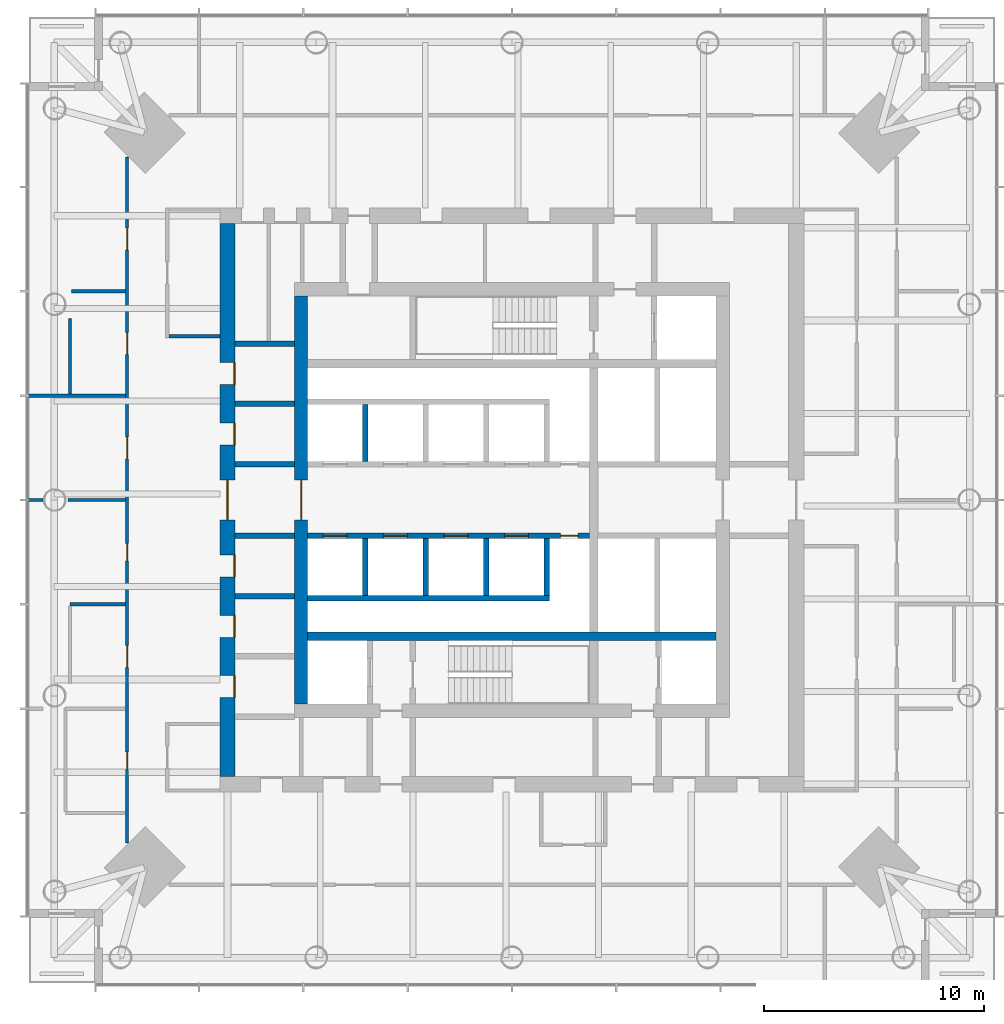
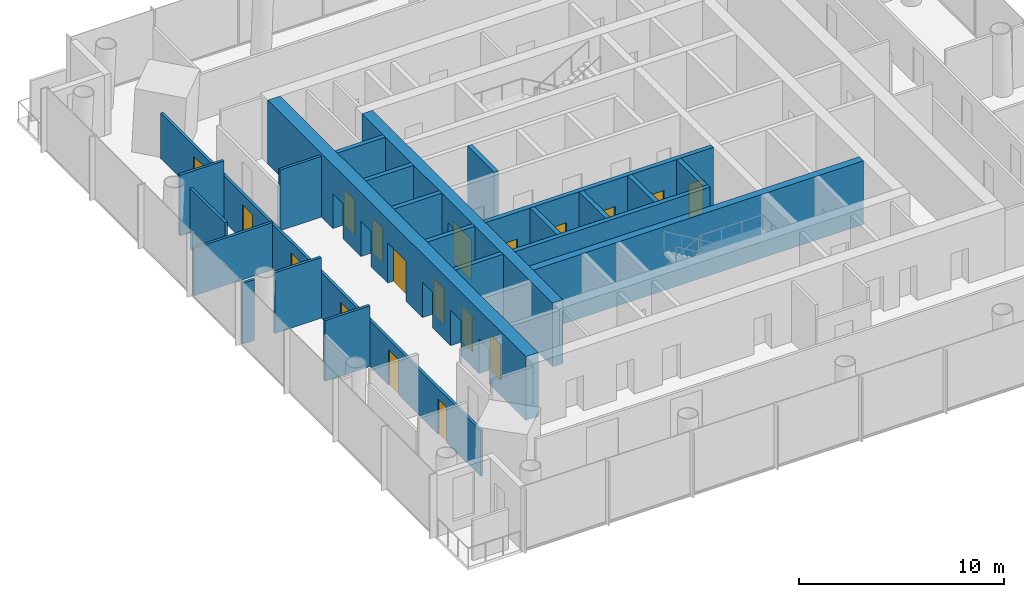
# One storey, part 9 of 19: 23 walls, 18 doors, 18 openings.
"""IFC4 building model written with IfcOpenShell, lengths in metres."""

from ifc_helpers import new_model, si_unit, direction, frame, frame_2d, origin, place, context, subcontext, project, spatial, rectangle, extrude, material, layer, layer_set, type_object, element, fill, save


model = new_model("IFC4")

# Units and contexts
model_context = context("Model", 3, precision=1e-05, world=origin(), true_north=direction((0.0, 1.0)))
body_context = subcontext(model_context, "Body", "Model", "MODEL_VIEW")
ifc_project = project(units=[si_unit("LENGTHUNIT", "METRE"), si_unit("AREAUNIT", "SQUARE_METRE"), si_unit("VOLUMEUNIT", "CUBIC_METRE"), si_unit("PLANEANGLEUNIT", "RADIAN"), si_unit("MASSUNIT", "GRAM", prefix="KILO")], contexts=[model_context])

# Site, building, storey
site_placement = place(None, origin())
site = spatial("IfcSite", under=ifc_project, at=site_placement, CompositionType="ELEMENT")
building_placement = place(site_placement, origin())
building = spatial("IfcBuilding", under=site, at=building_placement, Name="Ostroluk Exchange", CompositionType="ELEMENT")
storey_placement = place(building_placement, frame((0.0, 0.0, 119.800048828125)))
storey = spatial("IfcBuildingStorey", under=building, at=storey_placement, Name="L30", CompositionType="ELEMENT", Elevation=119.800048828125)

# Walls
ifc_material_1 = material(Name="Concrete C50/60", Category="concrete")
ifc_layer_1 = layer(ifc_material_1, 0.39990234375)
ifc_layer_set_1 = layer_set([ifc_layer_1], Name="Core cross wall 400 C50/60")
wall_type_1 = type_object("IfcWallType", Name="Core cross wall 400 C50/60", PredefinedType="SHEAR", material=ifc_layer_set_1)
wall_1_placement = place(storey_placement, frame((35.699951171875, 39.800048828125, 0.0), z_axis=(0.0, 0.0, 1.0), x_axis=(1.0, 0.0, 0.0)))
element("IfcWall", 1, at=wall_1_placement, inside=storey, type_object=wall_type_1, Name="T1 core wall XS", PredefinedType="SHEAR", context=body_context, shape_type="SweptSolid", body=[
    extrude(rectangle(XDim=18.60009765625, YDim=0.39990234375, at=frame_2d((9.300048828125, 0.0))), origin(), (0.0, 0.0, 1.0), 3.800048828125),
])
ifc_material_2 = material(Name="Concrete C40/50", Category="concrete")
ifc_layer_2 = layer(ifc_material_2, 0.25)
ifc_layer_set_2 = layer_set([ifc_layer_2], Name="Core shaft wall 250")
wall_type_2 = type_object("IfcWallType", Name="Core shaft wall 250", PredefinedType="SHEAR", material=ifc_layer_set_2)
for number, where, z_axis, x_axis, name in (
    (2, (38.324951171875, 47.75, 0.0), (0.0, 0.0, 1.0), (0.0, 1.0, 0.0), "Lift shaft wall"),
    (3, (38.324951171875, 44.25, 0.0), (0.0, 0.0, 1.0), (0.0, -1.0, 0.0), "Lift shaft wall"),
    (4, (41.074951171875, 44.25, 0.0), (0.0, 0.0, 1.0), (0.0, -1.0, 0.0), "Lift shaft wall"),
    (5, (43.824951171875, 44.25, 0.0), (0.0, 0.0, 1.0), (0.0, -1.0, 0.0), "Lift shaft wall"),
    (6, (46.574951171875, 44.25, 0.0), (0.0, 0.0, 1.0), (0.0, -1.0, 0.0), "Lift shaft wall"),
):
    element("IfcWall", number, at=place(storey_placement, frame(where, z_axis=z_axis, x_axis=x_axis)), inside=storey, type_object=wall_type_2, Name=name, PredefinedType="SHEAR", context=body_context, shape_type="SweptSolid", body=[
        extrude(rectangle(XDim=2.60009765625, YDim=0.25, at=frame_2d((1.300048828125, 0.0))), origin(), (0.0, 0.0, 1.0), 3.800048828125),
    ])
wall_2_placement = place(storey_placement, frame((35.699951171875, 41.52490234375, 0.0), z_axis=(0.0, 0.0, 1.0), x_axis=(1.0, 0.0, 0.0)))
element("IfcWall", 7, at=wall_2_placement, inside=storey, type_object=wall_type_2, Name="Lift shaft wall", PredefinedType="SHEAR", context=body_context, shape_type="SweptSolid", body=[
    extrude(rectangle(XDim=11.0, YDim=0.25, at=frame_2d((5.5, 0.0))), origin(), (0.0, 0.0, 1.0), 3.800048828125),
])

# Wall, openings, doors
wall_3_placement = place(storey_placement, frame((35.699951171875, 44.375, 0.0), z_axis=(0.0, 0.0, 1.0), x_axis=(1.0, 0.0, 0.0)))
wall_3 = element("IfcWall", 8, at=wall_3_placement, inside=storey, type_object=wall_type_2, Name="Lift shaft front wall", PredefinedType="SHEAR", context=body_context, shape_type="SweptSolid", body=[
    extrude(rectangle(XDim=12.830078125, YDim=0.25, at=frame_2d((6.4150390625, 0.0))), origin(), (0.0, 0.0, 1.0), 3.800048828125),
])
opening_1_placement = place(wall_3_placement, frame((0.699951171875, 0.0, 0.0)))
opening_1 = element("IfcOpeningElement", 9, at=opening_1_placement, cuts=wall_3, Name="Opening LD", PredefinedType="OPENING", context=body_context, shape_type="SweptSolid", body=[
    extrude(rectangle(XDim=1.10009765625, YDim=2.199951171875, at=frame_2d((0.550048828125, 1.10009765625))), frame((0.0, 0.135009765625, 0.0), z_axis=(0.0, -1.0, 0.0), x_axis=(1.0, 0.0, 0.0)), (0.0, 0.0, 1.0), 0.27001953125),
])
opening_2_placement = place(wall_3_placement, frame((3.449951171875, 0.0, 0.0)))
opening_2 = element("IfcOpeningElement", 10, at=opening_2_placement, cuts=wall_3, Name="Opening LD", PredefinedType="OPENING", context=body_context, shape_type="SweptSolid", body=[
    extrude(rectangle(XDim=1.10009765625, YDim=2.199951171875, at=frame_2d((0.550048828125, 1.10009765625))), frame((0.0, 0.135009765625, 0.0), z_axis=(0.0, -1.0, 0.0), x_axis=(1.0, 0.0, 0.0)), (0.0, 0.0, 1.0), 0.27001953125),
])
opening_3_placement = place(wall_3_placement, frame((6.199951171875, 0.0, 0.0)))
opening_3 = element("IfcOpeningElement", 11, at=opening_3_placement, cuts=wall_3, Name="Opening LD", PredefinedType="OPENING", context=body_context, shape_type="SweptSolid", body=[
    extrude(rectangle(XDim=1.10009765625, YDim=2.199951171875, at=frame_2d((0.550048828125, 1.10009765625))), frame((0.0, 0.135009765625, 0.0), z_axis=(0.0, -1.0, 0.0), x_axis=(1.0, 0.0, 0.0)), (0.0, 0.0, 1.0), 0.27001953125),
])
opening_4_placement = place(wall_3_placement, frame((8.949951171875, 0.0, 0.0)))
opening_4 = element("IfcOpeningElement", 12, at=opening_4_placement, cuts=wall_3, Name="Opening LD", PredefinedType="OPENING", context=body_context, shape_type="SweptSolid", body=[
    extrude(rectangle(XDim=1.10009765625, YDim=2.199951171875, at=frame_2d((0.550048828125, 1.10009765625))), frame((0.0, 0.135009765625, 0.0), z_axis=(0.0, -1.0, 0.0), x_axis=(1.0, 0.0, 0.0)), (0.0, 0.0, 1.0), 0.27001953125),
])
opening_5_placement = place(wall_3_placement, frame((11.514892578125, 0.0, 0.0)))
opening_5 = element("IfcOpeningElement", 13, at=opening_5_placement, cuts=wall_3, Name="Opening RD60", PredefinedType="OPENING", context=body_context, shape_type="SweptSolid", body=[
    extrude(rectangle(XDim=0.800048828125, YDim=2.0, at=frame_2d((0.39990234375, 1.0))), frame((0.0, 0.135009765625, 0.0), z_axis=(0.0, -1.0, 0.0), x_axis=(1.0, 0.0, 0.0)), (0.0, 0.0, 1.0), 0.27001953125),
])
ifc_material_3 = material(Name="Stainless steel", Category="steel")
door_type_1 = type_object("IfcDoorType", Name="Lift landing door E 60 1100 x 2200", OperationType="DOUBLE_DOOR_SLIDING", PredefinedType="DOOR", material=ifc_material_3)
door_1_placement = place(opening_1_placement, origin())
door_1 = element("IfcDoor", 14, at=door_1_placement, inside=storey, type_object=door_type_1, Name="Lift PL-M5 landing door", OperationType="DOUBLE_DOOR_SLIDING", OverallHeight=2.199951171875, OverallWidth=1.10009765625, PredefinedType="DOOR", context=body_context, shape_type="SweptSolid", body=[
    extrude(rectangle(XDim=1.10009765625, YDim=2.199951171875, at=frame_2d((0.550048828125, 1.10009765625))), frame((0.0, 0.02490234375, 0.0), z_axis=(0.0, -1.0, 0.0), x_axis=(1.0, 0.0, 0.0)), (0.0, 0.0, 1.0), 0.050048828125),
])
fill(opening_1, door_1)
door_2_placement = place(opening_2_placement, origin())
door_2 = element("IfcDoor", 15, at=door_2_placement, inside=storey, type_object=door_type_1, Name="Lift PL-M6 landing door", OperationType="DOUBLE_DOOR_SLIDING", OverallHeight=2.199951171875, OverallWidth=1.10009765625, PredefinedType="DOOR", context=body_context, shape_type="SweptSolid", body=[
    extrude(rectangle(XDim=1.10009765625, YDim=2.199951171875, at=frame_2d((0.550048828125, 1.10009765625))), frame((0.0, 0.02490234375, 0.0), z_axis=(0.0, -1.0, 0.0), x_axis=(1.0, 0.0, 0.0)), (0.0, 0.0, 1.0), 0.050048828125),
])
fill(opening_2, door_2)
door_3_placement = place(opening_3_placement, origin())
door_3 = element("IfcDoor", 16, at=door_3_placement, inside=storey, type_object=door_type_1, Name="Lift PL-M7 landing door", OperationType="DOUBLE_DOOR_SLIDING", OverallHeight=2.199951171875, OverallWidth=1.10009765625, PredefinedType="DOOR", context=body_context, shape_type="SweptSolid", body=[
    extrude(rectangle(XDim=1.10009765625, YDim=2.199951171875, at=frame_2d((0.550048828125, 1.10009765625))), frame((0.0, 0.02490234375, 0.0), z_axis=(0.0, -1.0, 0.0), x_axis=(1.0, 0.0, 0.0)), (0.0, 0.0, 1.0), 0.050048828125),
])
fill(opening_3, door_3)
door_4_placement = place(opening_4_placement, origin())
door_4 = element("IfcDoor", 17, at=door_4_placement, inside=storey, type_object=door_type_1, Name="Lift PL-M8 landing door", OperationType="DOUBLE_DOOR_SLIDING", OverallHeight=2.199951171875, OverallWidth=1.10009765625, PredefinedType="DOOR", context=body_context, shape_type="SweptSolid", body=[
    extrude(rectangle(XDim=1.10009765625, YDim=2.199951171875, at=frame_2d((0.550048828125, 1.10009765625))), frame((0.0, 0.02490234375, 0.0), z_axis=(0.0, -1.0, 0.0), x_axis=(1.0, 0.0, 0.0)), (0.0, 0.0, 1.0), 0.050048828125),
])
fill(opening_4, door_4)
ifc_material_4 = material(Name="Steel", Category="steel")
door_type_2 = type_object("IfcDoorType", Name="Riser access door EI 60 800 x 2000", OperationType="SINGLE_SWING_LEFT", PredefinedType="DOOR", material=ifc_material_4)
door_5_placement = place(opening_5_placement, origin())
door_5 = element("IfcDoor", 18, at=door_5_placement, inside=storey, type_object=door_type_2, Name="Riser access door", OperationType="SINGLE_SWING_RIGHT", OverallHeight=2.0, OverallWidth=0.800048828125, PredefinedType="DOOR", context=body_context, shape_type="SweptSolid", body=[
    extrude(rectangle(XDim=0.800048828125, YDim=2.0, at=frame_2d((0.39990234375, 1.0))), frame((0.0, 0.02490234375, 0.0), z_axis=(0.0, -1.0, 0.0), x_axis=(1.0, 0.0, 0.0)), (0.0, 0.0, 1.0), 0.050048828125),
])
fill(opening_5, door_5)

# Walls
for number, where, z_axis, x_axis, name in (
    (19, (32.39990234375, 41.625, 0.0), (0.0, 0.0, 1.0), (1.0, 0.0, 0.0), "Lift shaft wall"),
    (20, (32.39990234375, 44.375, 0.0), (0.0, 0.0, 1.0), (1.0, 0.0, 0.0), "Lift shaft wall"),
    (21, (32.39990234375, 47.625, 0.0), (0.0, 0.0, 1.0), (1.0, 0.0, 0.0), "Lift shaft wall"),
    (22, (32.39990234375, 50.375, 0.0), (0.0, 0.0, 1.0), (1.0, 0.0, 0.0), "Lift shaft wall"),
    (23, (32.39990234375, 53.125, 0.0), (0.0, 0.0, 1.0), (1.0, 0.0, 0.0), "Lift shaft wall"),
):
    element("IfcWall", number, at=place(storey_placement, frame(where, z_axis=z_axis, x_axis=x_axis)), inside=storey, type_object=wall_type_2, Name=name, PredefinedType="SHEAR", context=body_context, shape_type="SweptSolid", body=[
        extrude(rectangle(XDim=2.7001953125, YDim=0.25, at=frame_2d((1.35009765625, 0.0))), origin(), (0.0, 0.0, 1.0), 3.800048828125),
    ])

# Wall, opening, door
ifc_material_5 = material(Name="Concrete C50/60", Category="concrete")
ifc_layer_3 = layer(ifc_material_5, 0.60009765625)
ifc_layer_set_3 = layer_set([ifc_layer_3], Name="Core wall 600 C50/60")
wall_type_3 = type_object("IfcWallType", Name="Core wall 600 C50/60", PredefinedType="SHEAR", material=ifc_layer_set_3)
wall_4_placement = place(storey_placement, frame((35.39990234375, 36.699951171875, 0.0), z_axis=(0.0, 0.0, 1.0), x_axis=(0.0, 1.0, 0.0)))
wall_4 = element("IfcWall", 24, at=wall_4_placement, inside=storey, type_object=wall_type_3, Name="T1 core wall W", PredefinedType="SHEAR", context=body_context, shape_type="SweptSolid", body=[
    extrude(rectangle(XDim=18.60009765625, YDim=0.60009765625, at=frame_2d((9.300048828125, 0.0))), origin(), (0.0, 0.0, 1.0), 3.800048828125),
])
opening_6_placement = place(wall_4_placement, frame((8.39990234375, 0.0, 0.0)))
opening_6 = element("IfcOpeningElement", 25, at=opening_6_placement, cuts=wall_4, Name="Opening FD30D", PredefinedType="OPENING", context=body_context, shape_type="SweptSolid", body=[
    extrude(rectangle(XDim=1.800048828125, YDim=2.39990234375, at=frame_2d((0.89990234375, 1.199951171875))), frame((0.0, 0.31005859375, 0.0), z_axis=(0.0, -1.0, 0.0), x_axis=(1.0, 0.0, 0.0)), (0.0, 0.0, 1.0), 0.6201171875),
])
ifc_material_6 = material(Name="Timber", Category="wood")
door_type_3 = type_object("IfcDoorType", Name="Lobby double door EI 30 1800 x 2400", OperationType="DOUBLE_DOOR_SINGLE_SWING", PredefinedType="DOOR", material=ifc_material_6)
door_6_placement = place(opening_6_placement, origin())
door_6 = element("IfcDoor", 26, at=door_6_placement, inside=storey, type_object=door_type_3, Name="Lift lobby doors", OperationType="DOUBLE_DOOR_SINGLE_SWING", OverallHeight=2.39990234375, OverallWidth=1.800048828125, PredefinedType="DOOR", context=body_context, shape_type="SweptSolid", body=[
    extrude(rectangle(XDim=1.800048828125, YDim=2.39990234375, at=frame_2d((0.89990234375, 1.199951171875))), frame((0.0, 0.02490234375, 0.0), z_axis=(0.0, -1.0, 0.0), x_axis=(1.0, 0.0, 0.0)), (0.0, 0.0, 1.0), 0.050048828125),
])
fill(opening_6, door_6)

# Wall, openings, doors
ifc_material_7 = material(Name="Concrete C50/60", Category="concrete")
ifc_layer_4 = layer(ifc_material_7, 0.699951171875)
ifc_layer_set_4 = layer_set([ifc_layer_4], Name="Core wall 700 C50/60")
wall_type_4 = type_object("IfcWallType", Name="Core wall 700 C50/60", PredefinedType="SHEAR", material=ifc_layer_set_4)
wall_5_placement = place(storey_placement, frame((32.050048828125, 33.39990234375, 0.0), z_axis=(0.0, 0.0, 1.0), x_axis=(0.0, 1.0, 0.0)))
wall_5 = element("IfcWall", 27, at=wall_5_placement, inside=storey, type_object=wall_type_4, Name="T1 core wall RW", PredefinedType="SHEAR", context=body_context, shape_type="SweptSolid", body=[
    extrude(rectangle(XDim=25.2001953125, YDim=0.699951171875, at=frame_2d((12.60009765625, 0.0))), origin(), (0.0, 0.0, 1.0), 3.800048828125),
])
opening_7_placement = place(wall_5_placement, frame((11.699951171875, 0.0, 0.0)))
opening_7 = element("IfcOpeningElement", 28, at=opening_7_placement, cuts=wall_5, Name="Opening FD30D", PredefinedType="OPENING", context=body_context, shape_type="SweptSolid", body=[
    extrude(rectangle(XDim=1.800048828125, YDim=2.39990234375, at=frame_2d((0.89990234375, 1.199951171875))), frame((0.0, 0.35986328125, 0.0), z_axis=(0.0, -1.0, 0.0), x_axis=(1.0, 0.0, 0.0)), (0.0, 0.0, 1.0), 0.719970703125),
])
opening_8_placement = place(wall_5_placement, frame((3.60009765625, 0.0, 0.0)))
opening_8 = element("IfcOpeningElement", 29, at=opening_8_placement, cuts=wall_5, Name="Opening FD60", PredefinedType="OPENING", context=body_context, shape_type="SweptSolid", body=[
    extrude(rectangle(XDim=1.0, YDim=2.10009765625, at=frame_2d((0.5, 1.050048828125))), frame((0.0, 0.35986328125, 0.0), z_axis=(0.0, -1.0, 0.0), x_axis=(1.0, 0.0, 0.0)), (0.0, 0.0, 1.0), 0.719970703125),
])
opening_9_placement = place(wall_5_placement, frame((6.35009765625, 0.0, 0.0)))
opening_9 = element("IfcOpeningElement", 30, at=opening_9_placement, cuts=wall_5, Name="Opening FD60", PredefinedType="OPENING", context=body_context, shape_type="SweptSolid", body=[
    extrude(rectangle(XDim=1.0, YDim=2.10009765625, at=frame_2d((0.5, 1.050048828125))), frame((0.0, 0.35986328125, 0.0), z_axis=(0.0, -1.0, 0.0), x_axis=(1.0, 0.0, 0.0)), (0.0, 0.0, 1.0), 0.719970703125),
])
opening_10_placement = place(wall_5_placement, frame((9.10009765625, 0.0, 0.0)))
opening_10 = element("IfcOpeningElement", 31, at=opening_10_placement, cuts=wall_5, Name="Opening FD60", PredefinedType="OPENING", context=body_context, shape_type="SweptSolid", body=[
    extrude(rectangle(XDim=1.0, YDim=2.10009765625, at=frame_2d((0.5, 1.050048828125))), frame((0.0, 0.35986328125, 0.0), z_axis=(0.0, -1.0, 0.0), x_axis=(1.0, 0.0, 0.0)), (0.0, 0.0, 1.0), 0.719970703125),
])
opening_11_placement = place(wall_5_placement, frame((15.10009765625, 0.0, 0.0)))
opening_11 = element("IfcOpeningElement", 32, at=opening_11_placement, cuts=wall_5, Name="Opening FD60", PredefinedType="OPENING", context=body_context, shape_type="SweptSolid", body=[
    extrude(rectangle(XDim=1.0, YDim=2.10009765625, at=frame_2d((0.5, 1.050048828125))), frame((0.0, 0.35986328125, 0.0), z_axis=(0.0, -1.0, 0.0), x_axis=(1.0, 0.0, 0.0)), (0.0, 0.0, 1.0), 0.719970703125),
])
opening_12_placement = place(wall_5_placement, frame((17.85009765625, 0.0, 0.0)))
opening_12 = element("IfcOpeningElement", 33, at=opening_12_placement, cuts=wall_5, Name="Opening FD60", PredefinedType="OPENING", context=body_context, shape_type="SweptSolid", body=[
    extrude(rectangle(XDim=1.0, YDim=2.10009765625, at=frame_2d((0.5, 1.050048828125))), frame((0.0, 0.35986328125, 0.0), z_axis=(0.0, -1.0, 0.0), x_axis=(1.0, 0.0, 0.0)), (0.0, 0.0, 1.0), 0.719970703125),
])
ifc_material_8 = material(Name="Steel", Category="steel")
door_type_4 = type_object("IfcDoorType", Name="Fire door EI 60 1000 x 2100", OperationType="SINGLE_SWING_LEFT", PredefinedType="DOOR", material=ifc_material_8)
door_7_placement = place(opening_8_placement, origin())
door_7 = element("IfcDoor", 34, at=door_7_placement, inside=storey, type_object=door_type_4, Name="Cleaner's store door", OperationType="SINGLE_SWING_LEFT", OverallHeight=2.10009765625, OverallWidth=1.0, PredefinedType="DOOR", context=body_context, shape_type="SweptSolid", body=[
    extrude(rectangle(XDim=1.0, YDim=2.10009765625, at=frame_2d((0.5, 1.050048828125))), frame((0.0, -0.2900390625, 0.0), z_axis=(0.0, -1.0, 0.0), x_axis=(1.0, 0.0, 0.0)), (0.0, 0.0, 1.0), 0.050048828125),
])
fill(opening_8, door_7)
door_8_placement = place(opening_9_placement, origin())
door_8 = element("IfcDoor", 35, at=door_8_placement, inside=storey, type_object=door_type_4, Name="Comms room door", OperationType="SINGLE_SWING_LEFT", OverallHeight=2.10009765625, OverallWidth=1.0, PredefinedType="DOOR", context=body_context, shape_type="SweptSolid", body=[
    extrude(rectangle(XDim=1.0, YDim=2.10009765625, at=frame_2d((0.5, 1.050048828125))), frame((0.0, -0.2900390625, 0.0), z_axis=(0.0, -1.0, 0.0), x_axis=(1.0, 0.0, 0.0)), (0.0, 0.0, 1.0), 0.050048828125),
])
fill(opening_9, door_8)
door_9_placement = place(opening_10_placement, origin())
door_9 = element("IfcDoor", 36, at=door_9_placement, inside=storey, type_object=door_type_4, Name="Cleaner's store door", OperationType="SINGLE_SWING_LEFT", OverallHeight=2.10009765625, OverallWidth=1.0, PredefinedType="DOOR", context=body_context, shape_type="SweptSolid", body=[
    extrude(rectangle(XDim=1.0, YDim=2.10009765625, at=frame_2d((0.5, 1.050048828125))), frame((0.0, -0.2900390625, 0.0), z_axis=(0.0, -1.0, 0.0), x_axis=(1.0, 0.0, 0.0)), (0.0, 0.0, 1.0), 0.050048828125),
])
fill(opening_10, door_9)
door_10_placement = place(opening_11_placement, origin())
door_10 = element("IfcDoor", 37, at=door_10_placement, inside=storey, type_object=door_type_4, Name="Comms room door", OperationType="SINGLE_SWING_RIGHT", OverallHeight=2.10009765625, OverallWidth=1.0, PredefinedType="DOOR", context=body_context, shape_type="SweptSolid", body=[
    extrude(rectangle(XDim=1.0, YDim=2.10009765625, at=frame_2d((0.5, 1.050048828125))), frame((0.0, -0.2900390625, 0.0), z_axis=(0.0, -1.0, 0.0), x_axis=(1.0, 0.0, 0.0)), (0.0, 0.0, 1.0), 0.050048828125),
])
fill(opening_11, door_10)
door_11_placement = place(opening_12_placement, origin())
door_11 = element("IfcDoor", 38, at=door_11_placement, inside=storey, type_object=door_type_4, Name="Cleaner's store door", OperationType="SINGLE_SWING_RIGHT", OverallHeight=2.10009765625, OverallWidth=1.0, PredefinedType="DOOR", context=body_context, shape_type="SweptSolid", body=[
    extrude(rectangle(XDim=1.0, YDim=2.10009765625, at=frame_2d((0.5, 1.050048828125))), frame((0.0, -0.2900390625, 0.0), z_axis=(0.0, -1.0, 0.0), x_axis=(1.0, 0.0, 0.0)), (0.0, 0.0, 1.0), 0.050048828125),
])
fill(opening_12, door_11)
door_12_placement = place(opening_7_placement, origin())
door_12 = element("IfcDoor", 39, at=door_12_placement, inside=storey, type_object=door_type_3, Name="Lift lobby doors", OperationType="DOUBLE_DOOR_SINGLE_SWING", OverallHeight=2.39990234375, OverallWidth=1.800048828125, PredefinedType="DOOR", context=body_context, shape_type="SweptSolid", body=[
    extrude(rectangle(XDim=1.800048828125, YDim=2.39990234375, at=frame_2d((0.89990234375, 1.199951171875))), frame((0.0, 0.02490234375, 0.0), z_axis=(0.0, -1.0, 0.0), x_axis=(1.0, 0.0, 0.0)), (0.0, 0.0, 1.0), 0.050048828125),
])
fill(opening_7, door_12)

# Walls
ifc_material_9 = material(Name="Gypsum plasterboard partition", Category="gypsum")
ifc_layer_5 = layer(ifc_material_9, 0.14990234375)
ifc_layer_set_5 = layer_set([ifc_layer_5], Name="Plasterboard partition 150")
wall_type_5 = type_object("IfcWallType", Name="Plasterboard partition 150", PredefinedType="PARTITIONING", material=ifc_layer_set_5)
wall_6_placement = place(storey_placement, frame((31.699951171875, 53.449951171875, 0.0), z_axis=(0.0, 0.0, 1.0), x_axis=(-1.0, 0.0, 0.0)))
element("IfcWall", 40, at=wall_6_placement, inside=storey, type_object=wall_type_5, Name="Partition", PredefinedType="PARTITIONING", context=body_context, shape_type="SweptSolid", body=[
    extrude(rectangle(XDim=2.324951171875, YDim=0.14990234375, at=frame_2d((1.16259765625, 0.0))), origin(), (0.0, 0.0, 1.0), 3.619873046875),
])
wall_7_placement = place(storey_placement, frame((24.875, 54.259765625, 0.0), z_axis=(0.0, 0.0, 1.0), x_axis=(0.0, -1.0, 0.0)))
element("IfcWall", 41, at=wall_7_placement, inside=storey, type_object=wall_type_5, Name="Partition", PredefinedType="PARTITIONING", context=body_context, shape_type="SweptSolid", body=[
    extrude(rectangle(XDim=3.434814453125, YDim=0.14990234375, at=frame_2d((1.71728515625, 0.0))), origin(), (0.0, 0.0, 1.0), 3.619873046875),
])

# Wall, openings, doors
wall_8_placement = place(storey_placement, frame((27.47509765625, 61.611572265625, 0.0), z_axis=(0.0, 0.0, 1.0), x_axis=(0.0, -1.0, 0.0)))
wall_8 = element("IfcWall", 42, at=wall_8_placement, inside=storey, type_object=wall_type_5, Name="Partition", PredefinedType="PARTITIONING", context=body_context, shape_type="SweptSolid", body=[
    extrude(rectangle(XDim=31.22314453125, YDim=0.14990234375, at=frame_2d((15.611572265625, 0.0))), origin(), (0.0, 0.0, 1.0), 2.719970703125),
])
opening_13_placement = place(wall_8_placement, frame((3.236572265625, 0.0, 0.0)))
opening_13 = element("IfcOpeningElement", 43, at=opening_13_placement, cuts=wall_8, Name="Opening D-03", PredefinedType="OPENING", context=body_context, shape_type="SweptSolid", body=[
    extrude(rectangle(XDim=1.0, YDim=2.10009765625, at=frame_2d((0.5, 1.050048828125))), frame((0.0, 0.0849609375, 0.0), z_axis=(0.0, -1.0, 0.0), x_axis=(1.0, 0.0, 0.0)), (0.0, 0.0, 1.0), 0.169921875),
])
opening_14_placement = place(wall_8_placement, frame((7.986572265625, 0.0, 0.0)))
opening_14 = element("IfcOpeningElement", 44, at=opening_14_placement, cuts=wall_8, Name="Opening D-03", PredefinedType="OPENING", context=body_context, shape_type="SweptSolid", body=[
    extrude(rectangle(XDim=1.0, YDim=2.10009765625, at=frame_2d((0.5, 1.050048828125))), frame((0.0, 0.0849609375, 0.0), z_axis=(0.0, -1.0, 0.0), x_axis=(1.0, 0.0, 0.0)), (0.0, 0.0, 1.0), 0.169921875),
])
opening_15_placement = place(wall_8_placement, frame((12.736572265625, 0.0, 0.0)))
opening_15 = element("IfcOpeningElement", 45, at=opening_15_placement, cuts=wall_8, Name="Opening D-03", PredefinedType="OPENING", context=body_context, shape_type="SweptSolid", body=[
    extrude(rectangle(XDim=1.0, YDim=2.10009765625, at=frame_2d((0.5, 1.050048828125))), frame((0.0, 0.0849609375, 0.0), z_axis=(0.0, -1.0, 0.0), x_axis=(1.0, 0.0, 0.0)), (0.0, 0.0, 1.0), 0.169921875),
])
opening_16_placement = place(wall_8_placement, frame((17.58642578125, 0.0, 0.0)))
opening_16 = element("IfcOpeningElement", 46, at=opening_16_placement, cuts=wall_8, Name="Opening D-06", PredefinedType="OPENING", context=body_context, shape_type="SweptSolid", body=[
    extrude(rectangle(XDim=0.800048828125, YDim=2.10009765625, at=frame_2d((0.39990234375, 1.050048828125))), frame((0.0, 0.0849609375, 0.0), z_axis=(0.0, -1.0, 0.0), x_axis=(1.0, 0.0, 0.0)), (0.0, 0.0, 1.0), 0.169921875),
])
opening_17_placement = place(wall_8_placement, frame((22.236572265625, 0.0, 0.0)))
opening_17 = element("IfcOpeningElement", 47, at=opening_17_placement, cuts=wall_8, Name="Opening D-03", PredefinedType="OPENING", context=body_context, shape_type="SweptSolid", body=[
    extrude(rectangle(XDim=1.0, YDim=2.10009765625, at=frame_2d((0.5, 1.050048828125))), frame((0.0, 0.0849609375, 0.0), z_axis=(0.0, -1.0, 0.0), x_axis=(1.0, 0.0, 0.0)), (0.0, 0.0, 1.0), 0.169921875),
])
opening_18_placement = place(wall_8_placement, frame((27.08642578125, 0.0, 0.0)))
opening_18 = element("IfcOpeningElement", 48, at=opening_18_placement, cuts=wall_8, Name="Opening D-06", PredefinedType="OPENING", context=body_context, shape_type="SweptSolid", body=[
    extrude(rectangle(XDim=0.800048828125, YDim=2.10009765625, at=frame_2d((0.39990234375, 1.050048828125))), frame((0.0, 0.0849609375, 0.0), z_axis=(0.0, -1.0, 0.0), x_axis=(1.0, 0.0, 0.0)), (0.0, 0.0, 1.0), 0.169921875),
])
ifc_material_10 = material(Name="Timber", Category="wood")
door_type_5 = type_object("IfcDoorType", Name="Internal door 1000 x 2100", OperationType="SINGLE_SWING_LEFT", PredefinedType="DOOR", material=ifc_material_10)
door_13_placement = place(opening_13_placement, origin())
door_13 = element("IfcDoor", 49, at=door_13_placement, inside=storey, type_object=door_type_5, Name="Office suite door", OperationType="SINGLE_SWING_LEFT", OverallHeight=2.10009765625, OverallWidth=1.0, PredefinedType="DOOR", context=body_context, shape_type="SweptSolid", body=[
    extrude(rectangle(XDim=1.0, YDim=2.10009765625, at=frame_2d((0.5, 1.050048828125))), frame((0.0, 0.02490234375, 0.0), z_axis=(0.0, -1.0, 0.0), x_axis=(1.0, 0.0, 0.0)), (0.0, 0.0, 1.0), 0.050048828125),
])
fill(opening_13, door_13)
door_14_placement = place(opening_14_placement, origin())
door_14 = element("IfcDoor", 50, at=door_14_placement, inside=storey, type_object=door_type_5, Name="Pantry door", OperationType="SINGLE_SWING_LEFT", OverallHeight=2.10009765625, OverallWidth=1.0, PredefinedType="DOOR", context=body_context, shape_type="SweptSolid", body=[
    extrude(rectangle(XDim=1.0, YDim=2.10009765625, at=frame_2d((0.5, 1.050048828125))), frame((0.0, 0.02490234375, 0.0), z_axis=(0.0, -1.0, 0.0), x_axis=(1.0, 0.0, 0.0)), (0.0, 0.0, 1.0), 0.050048828125),
])
fill(opening_14, door_14)
door_15_placement = place(opening_15_placement, origin())
door_15 = element("IfcDoor", 51, at=door_15_placement, inside=storey, type_object=door_type_5, Name="Office door", OperationType="SINGLE_SWING_LEFT", OverallHeight=2.10009765625, OverallWidth=1.0, PredefinedType="DOOR", context=body_context, shape_type="SweptSolid", body=[
    extrude(rectangle(XDim=1.0, YDim=2.10009765625, at=frame_2d((0.5, 1.050048828125))), frame((0.0, 0.02490234375, 0.0), z_axis=(0.0, -1.0, 0.0), x_axis=(1.0, 0.0, 0.0)), (0.0, 0.0, 1.0), 0.050048828125),
])
fill(opening_15, door_15)
door_16_placement = place(opening_17_placement, origin())
door_16 = element("IfcDoor", 52, at=door_16_placement, inside=storey, type_object=door_type_5, Name="Accessible WC door", OperationType="SINGLE_SWING_RIGHT", OverallHeight=2.10009765625, OverallWidth=1.0, PredefinedType="DOOR", context=body_context, shape_type="SweptSolid", body=[
    extrude(rectangle(XDim=1.0, YDim=2.10009765625, at=frame_2d((0.5, 1.050048828125))), frame((0.0, 0.02490234375, 0.0), z_axis=(0.0, -1.0, 0.0), x_axis=(1.0, 0.0, 0.0)), (0.0, 0.0, 1.0), 0.050048828125),
])
fill(opening_17, door_16)
ifc_material_11 = material(Name="Timber", Category="wood")
door_type_6 = type_object("IfcDoorType", Name="Toilet door 800 x 2100", OperationType="SINGLE_SWING_LEFT", PredefinedType="DOOR", material=ifc_material_11)
door_17_placement = place(opening_16_placement, origin())
door_17 = element("IfcDoor", 53, at=door_17_placement, inside=storey, type_object=door_type_6, Name="WC female door", OperationType="SINGLE_SWING_RIGHT", OverallHeight=2.10009765625, OverallWidth=0.800048828125, PredefinedType="DOOR", context=body_context, shape_type="SweptSolid", body=[
    extrude(rectangle(XDim=0.800048828125, YDim=2.10009765625, at=frame_2d((0.39990234375, 1.050048828125))), frame((0.0, 0.02490234375, 0.0), z_axis=(0.0, -1.0, 0.0), x_axis=(1.0, 0.0, 0.0)), (0.0, 0.0, 1.0), 0.050048828125),
])
fill(opening_16, door_17)
door_18_placement = place(opening_18_placement, origin())
door_18 = element("IfcDoor", 54, at=door_18_placement, inside=storey, type_object=door_type_6, Name="WC male door", OperationType="SINGLE_SWING_RIGHT", OverallHeight=2.10009765625, OverallWidth=0.800048828125, PredefinedType="DOOR", context=body_context, shape_type="SweptSolid", body=[
    extrude(rectangle(XDim=0.800048828125, YDim=2.10009765625, at=frame_2d((0.39990234375, 1.050048828125))), frame((0.0, 0.02490234375, 0.0), z_axis=(0.0, -1.0, 0.0), x_axis=(1.0, 0.0, 0.0)), (0.0, 0.0, 1.0), 0.050048828125),
])
fill(opening_18, door_18)

# Walls
wall_9_placement = place(storey_placement, frame((27.39990234375, 55.5, 0.0), z_axis=(0.0, 0.0, 1.0), x_axis=(-1.0, 0.0, 0.0)))
element("IfcWall", 55, at=wall_9_placement, inside=storey, type_object=wall_type_5, Name="Partition", PredefinedType="PARTITIONING", context=body_context, shape_type="SweptSolid", body=[
    extrude(rectangle(XDim=2.46484375, YDim=0.14990234375, at=frame_2d((1.232421875, 0.0))), origin(), (0.0, 0.0, 1.0), 3.619873046875),
])
wall_10_placement = place(storey_placement, frame((27.39990234375, 50.75, 0.0), z_axis=(0.0, 0.0, 1.0), x_axis=(-1.0, 0.0, 0.0)))
element("IfcWall", 56, at=wall_10_placement, inside=storey, type_object=wall_type_5, Name="Partition", PredefinedType="PARTITIONING", context=body_context, shape_type="SweptSolid", body=[
    extrude(rectangle(XDim=4.43994140625, YDim=0.14990234375, at=frame_2d((2.219970703125, 0.0))), origin(), (0.0, 0.0, 1.0), 2.820068359375),
])
wall_11_placement = place(storey_placement, frame((27.39990234375, 46.0, 0.0), z_axis=(0.0, 0.0, 1.0), x_axis=(-1.0, 0.0, 0.0)))
element("IfcWall", 57, at=wall_11_placement, inside=storey, type_object=wall_type_5, Name="Partition", PredefinedType="PARTITIONING", context=body_context, shape_type="SweptSolid", body=[
    extrude(rectangle(XDim=2.61328125, YDim=0.14990234375, at=frame_2d((1.306640625, 0.0))), origin(), (0.0, 0.0, 1.0), 3.619873046875),
])
wall_12_placement = place(storey_placement, frame((23.649169921875, 46.0, 0.0), z_axis=(0.0, 0.0, 1.0), x_axis=(-1.0, 0.0, 0.0)))
element("IfcWall", 58, at=wall_12_placement, inside=storey, type_object=wall_type_5, Name="Partition", PredefinedType="PARTITIONING", context=body_context, shape_type="SweptSolid", body=[
    extrude(rectangle(XDim=0.689208984375, YDim=0.14990234375, at=frame_2d((0.3447265625, 0.0))), origin(), (0.0, 0.0, 1.0), 3.619873046875),
])
wall_13_placement = place(storey_placement, frame((27.39990234375, 41.25, 0.0), z_axis=(0.0, 0.0, 1.0), x_axis=(-1.0, 0.0, 0.0)))
element("IfcWall", 59, at=wall_13_placement, inside=storey, type_object=wall_type_5, Name="Partition", PredefinedType="PARTITIONING", context=body_context, shape_type="SweptSolid", body=[
    extrude(rectangle(XDim=2.52490234375, YDim=0.14990234375, at=frame_2d((1.262451171875, 0.0))), origin(), (0.0, 0.0, 1.0), 3.619873046875),
])

save(model, "model.ifc")
